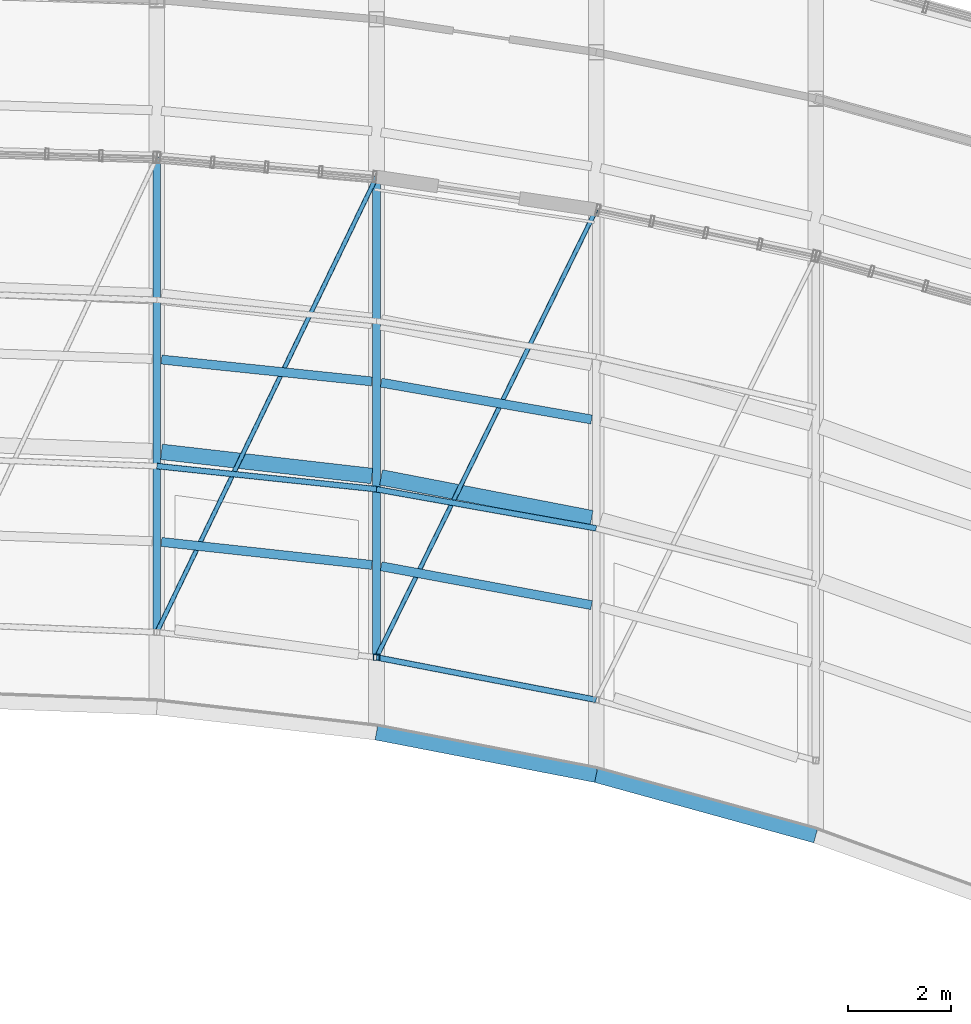
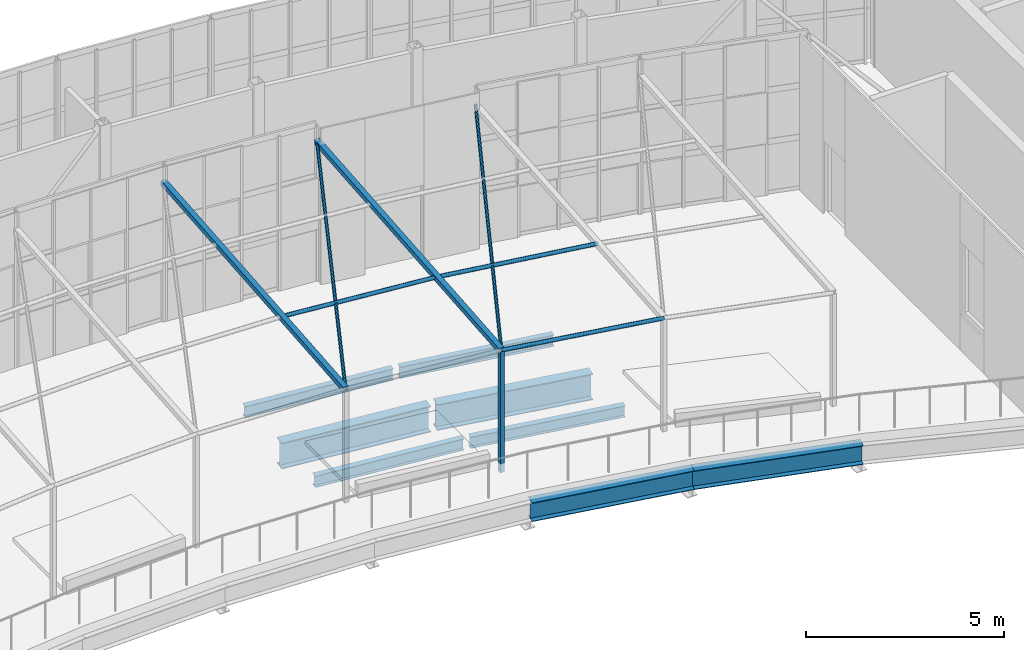
# One storey, part 16 of 35: 8 beams, 8 members.
"""IFC4 building model written with IfcOpenShell, lengths in metres."""

import ifcopenshell
import ifcopenshell.guid

model = None  # the IFC model being written
_history = None  # IfcOwnerHistory: only IFC2X3 demands one
_inside = {}  # id of a spatial element -> (the spatial element, [elements in it])
_under = {}  # id of a project, library or spatial element -> (it, [spatial elements below it])
_declared = {}  # id of a project -> (the project, [libraries it declares])
_typed = {}  # id of a type object -> (the type object, [elements of that type])
_made_of = {}  # id of a material, layer set ... -> (it, [elements and type objects made of it])


def new_model(schema):
    """Start an empty IFC model of exactly this schema.

    Asked for "IFC4X3", IfcOpenShell would pick the latest addendum, in which some entities
    have other attributes; the version numbers below select the first issue.
    IFC2X3 requires an IfcOwnerHistory on every rooted entity: one is made here for all.
    """
    global model, _history
    if schema == "IFC4X3":
        model = ifcopenshell.file(schema_version=(4, 3, 0, 0))
    else:
        model = ifcopenshell.file(schema=schema)
    _inside.clear()
    _under.clear()
    _declared.clear()
    _typed.clear()
    _made_of.clear()
    _history = None
    if model.schema == "IFC2X3":
        org = make("IfcOrganization", Name="unknown")
        user = make(
            "IfcPersonAndOrganization",
            ThePerson=make("IfcPerson", FamilyName="unknown"),
            TheOrganization=org,
        )
        app = make(
            "IfcApplication",
            ApplicationDeveloper=org,
            Version="unknown",
            ApplicationFullName="unknown",
            ApplicationIdentifier="unknown",
        )
        _history = make(
            "IfcOwnerHistory",
            OwningUser=user,
            OwningApplication=app,
            ChangeAction="ADDED",
            CreationDate=0,
        )
    return model


def make(cls, **values):
    """One entity of the class cls with the attributes given. An attribute that is None is left unset."""
    return model.create_entity(
        cls, **{name: value for name, value in values.items() if value is not None}
    )


def rooted(cls, **values):
    """An entity with a GlobalId (a new one), such as an element, a storey or a relation."""
    return make(cls, GlobalId=ifcopenshell.guid.new(), OwnerHistory=_history, **values)


def si_unit(unit_type, name, prefix=None):
    """IfcSIUnit, for example si_unit("LENGTHUNIT", "METRE", prefix="MILLI")."""
    return make("IfcSIUnit", UnitType=unit_type, Prefix=prefix, Name=name)


def assignment(units):
    """IfcUnitAssignment: the units of a project."""
    return None if units is None else make("IfcUnitAssignment", Units=units)


def point(xyz):
    """IfcCartesianPoint."""
    return None if xyz is None else make("IfcCartesianPoint", Coordinates=xyz)


def direction(xyz):
    """IfcDirection."""
    return None if xyz is None else make("IfcDirection", DirectionRatios=xyz)


def frame(location, z_axis=None, x_axis=None):
    """IfcAxis2Placement3D, a coordinate frame: its origin and axes. An axis left out is left unset."""
    return make(
        "IfcAxis2Placement3D",
        Location=point(location),
        Axis=direction(z_axis),
        RefDirection=direction(x_axis),
    )


def frame_2d(location, x_axis=None):
    """IfcAxis2Placement2D, a coordinate frame in the plane: its origin and x axis."""
    return make(
        "IfcAxis2Placement2D", Location=point(location), RefDirection=direction(x_axis)
    )


def origin():
    """The frame at (0, 0, 0) with its axes left unset."""
    return frame((0.0, 0.0, 0.0))


def origin_2d():
    """The frame at (0, 0) in the plane with its x axis left unset."""
    return frame_2d((0.0, 0.0))


def place(relative_to, where):
    """IfcLocalPlacement: puts the frame where relative to a parent placement (None: the world)."""
    return make(
        "IfcLocalPlacement", PlacementRelTo=relative_to, RelativePlacement=where
    )


def context(
    kind, dimensions, precision=None, world=None, true_north=None, identifier=None
):
    """IfcGeometricRepresentationContext, for example the 3D "Model" context."""
    return make(
        "IfcGeometricRepresentationContext",
        ContextIdentifier=identifier,
        ContextType=kind,
        CoordinateSpaceDimension=dimensions,
        Precision=precision,
        WorldCoordinateSystem=world,
        TrueNorth=true_north,
    )


def subcontext(parent, identifier, kind, view, scale=None):
    """IfcGeometricRepresentationSubContext, for example "Body" below "Model"."""
    return make(
        "IfcGeometricRepresentationSubContext",
        ContextIdentifier=identifier,
        ContextType=kind,
        ParentContext=parent,
        TargetScale=scale,
        TargetView=view,
    )


def project(units=None, contexts=None):
    """IfcProject with its units and contexts."""
    return rooted(
        "IfcProject",
        Name="project",
        RepresentationContexts=contexts,
        UnitsInContext=assignment(units),
    )


def spatial(cls, under=None, at=None, **own):
    """A site, building, storey or space (cls), placed at a placement, below another one or the project."""
    s = rooted(cls, ObjectPlacement=at, **own)
    if under is not None:
        _under.setdefault(under.id(), (under, []))[1].append(s)
    return s


def profile(cls, at=None, kind="AREA", **sizes):
    """A parametric profile (cls). Its sizes go by their IFC names, for example OverallWidth=200.0."""
    return make(cls, ProfileType=kind, Position=at, **sizes)


def hollow_rectangle(**sizes):
    """IfcRectangleHollowProfileDef."""
    return profile("IfcRectangleHollowProfileDef", **sizes)


def hollow_circle(**sizes):
    """IfcCircleHollowProfileDef."""
    return profile("IfcCircleHollowProfileDef", **sizes)


def i_section(**sizes):
    """IfcIShapeProfileDef."""
    return profile("IfcIShapeProfileDef", **sizes)


def extrude(swept, where, along, depth):
    """IfcExtrudedAreaSolid: the profile swept, set in the frame where, extruded along a direction by depth."""
    return make(
        "IfcExtrudedAreaSolid",
        SweptArea=swept,
        Position=where,
        ExtrudedDirection=direction(along),
        Depth=depth,
    )


def shape(context_of_items, identifier, shape_type, items):
    """IfcShapeRepresentation: the items that make up one representation, for example the "Body"."""
    return make(
        "IfcShapeRepresentation",
        ContextOfItems=context_of_items,
        RepresentationIdentifier=identifier,
        RepresentationType=shape_type,
        Items=items,
    )


def material(Name=None, Category=None):
    """IfcMaterial."""
    return make("IfcMaterial", Name=Name, Category=Category)


def material_profile(
    of_material, cross_section, Name=None, Category=None, Priority=None
):
    """IfcMaterialProfile: a cross section and its material."""
    return make(
        "IfcMaterialProfile",
        Name=Name,
        Material=of_material,
        Profile=cross_section,
        Priority=Priority,
        Category=Category,
    )


def profile_set(profiles, Name=None, composite=None):
    """IfcMaterialProfileSet."""
    return make(
        "IfcMaterialProfileSet",
        Name=Name,
        MaterialProfiles=profiles,
        CompositeProfile=composite,
    )


def made_of(thing, what):
    """Note that an element or type object is made of a material, layer set ...; save() writes the relation."""
    if what is not None:
        _made_of.setdefault(what.id(), (what, []))[1].append(thing)
    return thing


def type_object(cls, material=None, **own):
    """A type object (cls), such as IfcWallType, which elements share."""
    return made_of(rooted(cls, **own), material)


def element(
    cls,
    number,
    at=None,
    inside=None,
    cuts=None,
    type_object=None,
    material=None,
    context=None,
    identifier="Body",
    shape_type=None,
    held_by="IfcProductDefinitionShape",
    body=None,
    shapes=None,
    **own,
):
    """One element of the class cls, such as IfcWall. Its Tag is "e" and its number.

    at: its placement. inside: the storey or other place that contains it. cuts: it is an
    opening in that element (IfcRelVoidsElement). A single representation is given by context,
    identifier, shape_type and body (its items); several are given by shapes. held_by: the class
    of the entity that holds the representations. save() writes the other relations.
    """
    e = rooted(cls, Tag="e%d" % number, ObjectPlacement=at, **own)
    if body is not None:
        shapes = [shape(context, identifier, shape_type, body)]
    if shapes is not None:
        e.Representation = make(held_by, Representations=shapes)
    if inside is not None:
        _inside.setdefault(inside.id(), (inside, []))[1].append(e)
    if cuts is not None:
        rooted(
            "IfcRelVoidsElement", RelatingBuildingElement=cuts, RelatedOpeningElement=e
        )
    if type_object is not None:
        _typed.setdefault(type_object.id(), (type_object, []))[1].append(e)
    return made_of(e, material)


def aggregate(whole, parts):
    """IfcRelAggregates: a whole, such as a stair, and the parts it consists of."""
    return rooted("IfcRelAggregates", RelatingObject=whole, RelatedObjects=parts)


def save(model, path):
    """Write the relations noted so far, then the file.

    IfcRelAggregates (storeys below a building ...), IfcRelContainedInSpatialStructure (elements
    in a storey), IfcRelDefinesByType, IfcRelAssociatesMaterial and IfcRelDeclares: one each for
    every whole, place, type object, material and project.
    """
    for whole, parts in _under.values():
        aggregate(whole, parts)
    for where, things in _inside.values():
        rooted(
            "IfcRelContainedInSpatialStructure",
            RelatedElements=things,
            RelatingStructure=where,
        )
    for kind, things in _typed.values():
        rooted("IfcRelDefinesByType", RelatedObjects=things, RelatingType=kind)
    for what, things in _made_of.values():
        rooted("IfcRelAssociatesMaterial", RelatedObjects=things, RelatingMaterial=what)
    for by, libraries in _declared.values():
        rooted("IfcRelDeclares", RelatingContext=by, RelatedDefinitions=libraries)
    model.write(path)


model = new_model("IFC4")

# Units and contexts
model_context = context("Model", 3, precision=1e-05, world=origin(), true_north=direction((0.0, 1.0)))
body_context = subcontext(model_context, "Body", "Model", "MODEL_VIEW")
ifc_project = project(units=[si_unit("LENGTHUNIT", "METRE"), si_unit("AREAUNIT", "SQUARE_METRE"), si_unit("VOLUMEUNIT", "CUBIC_METRE"), si_unit("PLANEANGLEUNIT", "RADIAN"), si_unit("MASSUNIT", "GRAM", prefix="KILO")], contexts=[model_context])

# Site, building, storey
site_placement = place(None, origin())
site = spatial("IfcSite", under=ifc_project, at=site_placement, CompositionType="ELEMENT")
building_placement = place(site_placement, origin())
building = spatial("IfcBuilding", under=site, at=building_placement, Name="Solvikara Media Centre", CompositionType="ELEMENT")
storey_placement = place(building_placement, frame((0.0, 0.0, 29.39990234375)))
storey = spatial("IfcBuildingStorey", under=building, at=storey_placement, Name="L06", CompositionType="ELEMENT", Elevation=29.39990234375)

# Beams
ifc_material = material(Name="Steel S355JR", Category="steel")
ifc_material_profile_1 = material_profile(ifc_material, i_section(OverallWidth=0.300048828125, OverallDepth=0.800048828125, WebThickness=0.013916015625, FlangeThickness=0.02587890625, at=origin_2d()), Name="WF 800x300x14x26")
ifc_profile_set_1 = profile_set([ifc_material_profile_1], Name="Steel S355JR")
beam_type_1 = type_object("IfcBeamType", Name="BM-16", PredefinedType="BEAM", material=ifc_profile_set_1)
beam_1_placement = place(storey_placement, frame((106.339111328125, 30.2451171875, -0.671875), z_axis=(0.993485932274, -0.113954826025, 0.0), x_axis=(0.113954826025, 0.993485932274, 0.0)))
element("IfcBeam", 1, at=beam_1_placement, inside=storey, type_object=beam_type_1, Name="B-L06-SPNS-07", PredefinedType="BEAM", context=body_context, shape_type="SweptSolid", body=[
    extrude(i_section(OverallWidth=0.300048828125, OverallDepth=0.800048828125, WebThickness=0.013916015625, FlangeThickness=0.02587890625, at=origin_2d()), origin(), (0.0, 0.0, 1.0), 4.098388671875),
])
beam_2_placement = place(storey_placement, frame((110.587890625, 29.7509765625, -0.671875), z_axis=(0.981801087979, -0.189912147171, 0.0), x_axis=(0.189912147171, 0.981801087979, 0.0)))
element("IfcBeam", 2, at=beam_2_placement, inside=storey, type_object=beam_type_1, Name="B-L06-SPNS-08", PredefinedType="BEAM", context=body_context, shape_type="SweptSolid", body=[
    extrude(i_section(OverallWidth=0.300048828125, OverallDepth=0.800048828125, WebThickness=0.013916015625, FlangeThickness=0.02587890625, at=origin_2d()), origin(), (0.0, 0.0, 1.0), 4.149658203125),
])
ifc_material_profile_2 = material_profile(ifc_material, i_section(OverallWidth=0.175048828125, OverallDepth=0.35009765625, WebThickness=0.007080078125, FlangeThickness=0.010986328125, at=origin_2d()), Name="WF 350x175x7x11")
ifc_profile_set_2 = profile_set([ifc_material_profile_2], Name="Steel S355JR")
beam_type_2 = type_object("IfcBeamType", Name="BM-22", PredefinedType="JOIST", material=ifc_profile_set_2)
beam_3_placement = place(storey_placement, frame((106.339111328125, 28.501953125, -0.447021484375), z_axis=(0.994079138151, -0.108658488359, 0.0), x_axis=(0.108658488359, 0.994079138151, 0.0)))
element("IfcBeam", 3, at=beam_3_placement, inside=storey, type_object=beam_type_2, Name="BJ-L06-07-20", PredefinedType="JOIST", context=body_context, shape_type="SweptSolid", body=[
    extrude(i_section(OverallWidth=0.175048828125, OverallDepth=0.35009765625, WebThickness=0.007080078125, FlangeThickness=0.010986328125, at=origin_2d()), origin(), (0.0, 0.0, 1.0), 4.095947265625),
])
beam_4_placement = place(storey_placement, frame((106.340087890625, 32.031005859375, -0.447021484375), z_axis=(0.99463965164, -0.103401950587, 0.0), x_axis=(0.103401950587, 0.99463965164, 0.0)))
element("IfcBeam", 4, at=beam_4_placement, inside=storey, type_object=beam_type_2, Name="BJ-L06-07-42", PredefinedType="JOIST", context=body_context, shape_type="SweptSolid", body=[
    extrude(i_section(OverallWidth=0.175048828125, OverallDepth=0.35009765625, WebThickness=0.007080078125, FlangeThickness=0.010986328125, at=origin_2d()), origin(), (0.0, 0.0, 1.0), 4.091796875),
])
beam_5_placement = place(storey_placement, frame((110.589111328125, 28.031005859375, -0.447021484375), z_axis=(0.983371814175, -0.181603620797, 0.0), x_axis=(0.181603620797, 0.983371814175, 0.0)))
element("IfcBeam", 5, at=beam_5_placement, inside=storey, type_object=beam_type_2, Name="BJ-L06-08-20", PredefinedType="JOIST", context=body_context, shape_type="SweptSolid", body=[
    extrude(i_section(OverallWidth=0.175048828125, OverallDepth=0.35009765625, WebThickness=0.007080078125, FlangeThickness=0.010986328125, at=origin_2d()), origin(), (0.0, 0.0, 1.0), 4.140625),
])
beam_6_placement = place(storey_placement, frame((110.589111328125, 31.583984375, -0.447021484375), z_axis=(0.985016925608, -0.172457694134, 0.0), x_axis=(0.172457694134, 0.985016925608, 0.0)))
element("IfcBeam", 6, at=beam_6_placement, inside=storey, type_object=beam_type_2, Name="BJ-L06-08-42", PredefinedType="JOIST", context=body_context, shape_type="SweptSolid", body=[
    extrude(i_section(OverallWidth=0.175048828125, OverallDepth=0.35009765625, WebThickness=0.007080078125, FlangeThickness=0.010986328125, at=origin_2d()), origin(), (0.0, 0.0, 1.0), 4.1337890625),
])
ifc_material_profile_3 = material_profile(ifc_material, i_section(OverallWidth=0.300048828125, OverallDepth=0.58203125, WebThickness=0.011962890625, FlangeThickness=0.01708984375, at=origin_2d()), Name="WF 582x300x12x17")
ifc_profile_set_3 = profile_set([ifc_material_profile_3], Name="Steel S355JR")
beam_type_3 = type_object("IfcBeamType", Name="BM-31", PredefinedType="SPANDREL", material=ifc_profile_set_3)
beam_7_placement = place(storey_placement, frame((110.5, 24.818115234375, -0.56298828125), z_axis=(0.981803941213, -0.189897396029, 0.0), x_axis=(0.189897396029, 0.981803941213, 0.0)))
element("IfcBeam", 7, at=beam_7_placement, inside=storey, type_object=beam_type_3, Name="B-L06-SARC-08", PredefinedType="SPANDREL", context=body_context, shape_type="SweptSolid", body=[
    extrude(i_section(OverallWidth=0.300048828125, OverallDepth=0.58203125, WebThickness=0.011962890625, FlangeThickness=0.01708984375, at=origin_2d()), origin(), (0.0, 0.0, 1.0), 4.328857421875),
])
beam_8_placement = place(storey_placement, frame((114.75, 23.99609375, -0.56298828125), z_axis=(0.964009749544, -0.265866889221, 0.0), x_axis=(0.265866889221, 0.964009749544, 0.0)))
element("IfcBeam", 8, at=beam_8_placement, inside=storey, type_object=beam_type_3, Name="B-L06-SARC-09", PredefinedType="SPANDREL", context=body_context, shape_type="SweptSolid", body=[
    extrude(i_section(OverallWidth=0.300048828125, OverallDepth=0.58203125, WebThickness=0.011962890625, FlangeThickness=0.01708984375, at=origin_2d()), origin(), (0.0, 0.0, 1.0), 4.40869140625),
])

# Members
ifc_material_profile_4 = material_profile(ifc_material, hollow_circle(Radius=0.05712890625, WallThickness=0.006103515625, at=origin_2d()), Name="CHS 114.3x6")
ifc_profile_set_4 = profile_set([ifc_material_profile_4], Name="Steel S355JR")
member_type_1 = type_object("IfcMemberType", Name="MB-09", PredefinedType="BRACE", material=ifc_profile_set_4)
member_1_placement = place(storey_placement, frame((106.25, 29.969970703125, 3.72998046875), z_axis=(0.994490103679, -0.104830499785, 0.0), x_axis=(0.104830499785, 0.994490103679, 0.0)))
element("IfcMember", 9, at=member_1_placement, inside=storey, type_object=member_type_1, Name="PERG-LVR-08-35", PredefinedType="BRACE", context=body_context, shape_type="SweptSolid", body=[
    extrude(hollow_circle(Radius=0.05712890625, WallThickness=0.006103515625, at=origin_2d()), origin(), (0.0, 0.0, 1.0), 4.2734375),
])
member_2_placement = place(storey_placement, frame((110.5, 26.26806640625, 3.4501953125), z_axis=(0.981803941213, -0.189897396029, 0.0), x_axis=(0.189897396029, 0.981803941213, 0.0)))
element("IfcMember", 10, at=member_2_placement, inside=storey, type_object=member_type_1, Name="PERG-LVR-09-0", PredefinedType="BRACE", context=body_context, shape_type="SweptSolid", body=[
    extrude(hollow_circle(Radius=0.05712890625, WallThickness=0.006103515625, at=origin_2d()), origin(), (0.0, 0.0, 1.0), 4.328857421875),
])
member_3_placement = place(storey_placement, frame((110.5, 29.52197265625, 3.72998046875), z_axis=(0.984501589188, -0.175375656484, 0.0), x_axis=(0.175375656484, 0.984501589188, 0.0)))
element("IfcMember", 11, at=member_3_placement, inside=storey, type_object=member_type_1, Name="PERG-LVR-09-35", PredefinedType="BRACE", context=body_context, shape_type="SweptSolid", body=[
    extrude(hollow_circle(Radius=0.05712890625, WallThickness=0.006103515625, at=origin_2d()), origin(), (0.0, 0.0, 1.0), 4.31689453125),
])
ifc_material_profile_5 = material_profile(ifc_material, hollow_circle(Radius=0.04443359375, WallThickness=0.0048828125, at=origin_2d()), Name="CHS 88.9x5")
ifc_profile_set_5 = profile_set([ifc_material_profile_5], Name="Steel S355JR")
member_type_2 = type_object("IfcMemberType", Name="MB-10", PredefinedType="BRACE", material=ifc_profile_set_5)
member_4_placement = place(storey_placement, frame((106.25, 26.7548828125, 3.4501953125), z_axis=(0.433082884004, 0.897661800358, 0.081501581342), x_axis=(-0.900658098587, 0.43452846794, 0.0)))
element("IfcMember", 12, at=member_4_placement, inside=storey, type_object=member_type_2, Name="PERG-BR-08", PredefinedType="BRACE", context=body_context, shape_type="SweptSolid", body=[
    extrude(hollow_circle(Radius=0.04443359375, WallThickness=0.0048828125, at=origin_2d()), origin(), (0.0, 0.0, 1.0), 9.8134765625),
])
member_5_placement = place(storey_placement, frame((110.5, 26.26806640625, 3.4501953125), z_axis=(0.439024333416, 0.894668441403, 0.082619698775), x_axis=(-0.897737673271, 0.440530441615, 0.0)))
element("IfcMember", 13, at=member_5_placement, inside=storey, type_object=member_type_2, Name="PERG-BR-09", PredefinedType="BRACE", context=body_context, shape_type="SweptSolid", body=[
    extrude(hollow_circle(Radius=0.04443359375, WallThickness=0.0048828125, at=origin_2d()), origin(), (0.0, 0.0, 1.0), 9.6806640625),
])
ifc_material_profile_6 = material_profile(ifc_material, hollow_rectangle(XDim=0.14990234375, YDim=0.14990234375, WallThickness=0.00634765625, at=origin_2d()), Name="RHS 150x150x6.3")
ifc_profile_set_6 = profile_set([ifc_material_profile_6], Name="Steel S355JR")
member_type_3 = type_object("IfcMemberType", Name="MB-15", PredefinedType="BRACE", material=ifc_profile_set_6)
member_6_placement = place(storey_placement, frame((106.25, 26.7548828125, 3.4501953125), z_axis=(0.0, 0.996231044405, 0.086739299991), x_axis=(-1.0, 0.0, 0.0)))
element("IfcMember", 14, at=member_6_placement, inside=storey, type_object=member_type_3, Name="PERG-RIB-07", PredefinedType="BRACE", context=body_context, shape_type="SweptSolid", body=[
    extrude(hollow_rectangle(XDim=0.14990234375, YDim=0.14990234375, WallThickness=0.00634765625, at=origin_2d()), origin(), (0.0, 0.0, 1.0), 9.220703125),
])
member_7_placement = place(storey_placement, frame((110.5, 26.26806640625, 3.4501953125), z_axis=(0.0, 0.996319116174, 0.08572175188), x_axis=(-1.0, 0.0, 0.0)))
element("IfcMember", 15, at=member_7_placement, inside=storey, type_object=member_type_3, Name="PERG-RIB-08", PredefinedType="BRACE", context=body_context, shape_type="SweptSolid", body=[
    extrude(hollow_rectangle(XDim=0.14990234375, YDim=0.14990234375, WallThickness=0.00634765625, at=origin_2d()), origin(), (0.0, 0.0, 1.0), 9.330322265625),
])
ifc_material_profile_7 = material_profile(ifc_material, hollow_rectangle(XDim=0.1201171875, YDim=0.1201171875, WallThickness=0.006103515625, at=origin_2d()), Name="RHS 120x120x6")
ifc_profile_set_7 = profile_set([ifc_material_profile_7], Name="Steel S355JR")
member_type_4 = type_object("IfcMemberType", Name="MB-24", PredefinedType="POST", material=ifc_profile_set_7)
member_8_placement = place(storey_placement, frame((110.5, 26.26806640625, -0.27001953125), z_axis=(0.0, 0.0, 1.0), x_axis=(1.0, 0.0, 0.0)))
element("IfcMember", 16, at=member_8_placement, inside=storey, type_object=member_type_4, Name="PERG-PST-08", PredefinedType="POST", context=body_context, shape_type="SweptSolid", body=[
    extrude(hollow_rectangle(XDim=0.1201171875, YDim=0.1201171875, WallThickness=0.006103515625, at=origin_2d()), origin(), (0.0, 0.0, 1.0), 3.72021484375),
])

save(model, "model.ifc")
